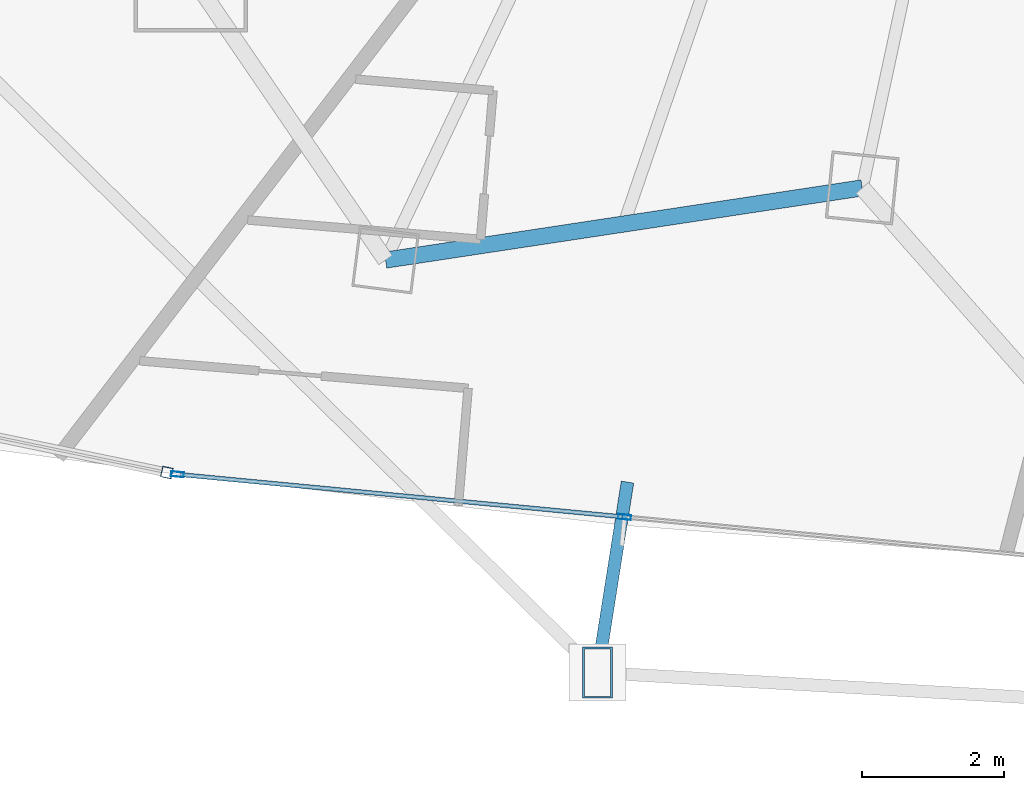
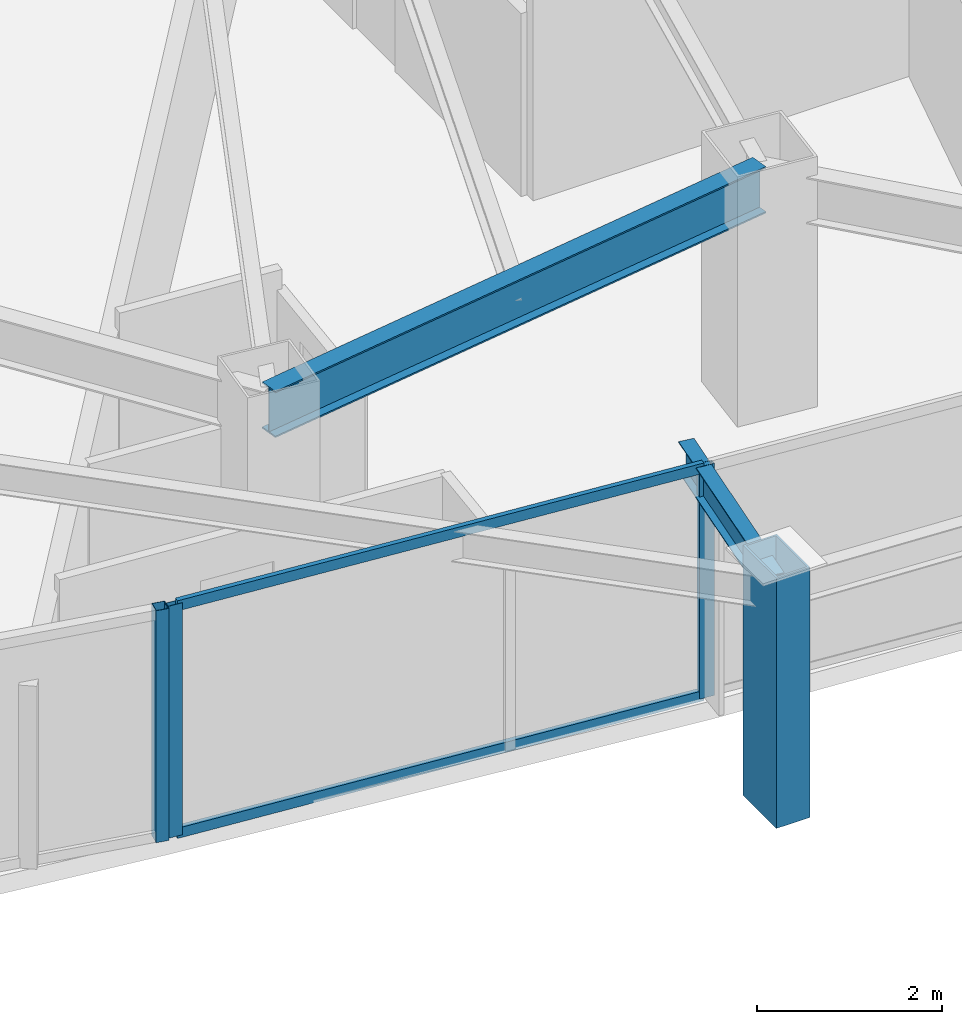
# One storey, part 4 of 34: 6 members, 2 beams, 2 elements without a shape of their own.
"""IFC4 building model written with IfcOpenShell, lengths in metres."""

from ifc_helpers import new_model, si_unit, direction, frame, origin, origin_2d, place, context, subcontext, project, spatial, hollow_rectangle, i_section, extrude, material, layer, layer_set, material_profile, profile_set, type_object, element, aggregate, save


model = new_model("IFC4")

# Units and contexts
model_context = context("Model", 3, precision=1e-05, world=origin(), true_north=direction((0.0, 1.0)))
body_context = subcontext(model_context, "Body", "Model", "MODEL_VIEW")
ifc_project = project(units=[si_unit("LENGTHUNIT", "METRE"), si_unit("AREAUNIT", "SQUARE_METRE"), si_unit("VOLUMEUNIT", "CUBIC_METRE"), si_unit("PLANEANGLEUNIT", "RADIAN"), si_unit("MASSUNIT", "GRAM", prefix="KILO")], contexts=[model_context])

# Site, building, storey
site_placement = place(None, origin())
site = spatial("IfcSite", under=ifc_project, at=site_placement, CompositionType="ELEMENT")
building_placement = place(site_placement, origin())
building = spatial("IfcBuilding", under=site, at=building_placement, Name="Orvanel Arch Residences", CompositionType="ELEMENT")
storey_placement = place(building_placement, frame((0.0, 0.0, 80.75)))
storey = spatial("IfcBuildingStorey", under=building, at=storey_placement, Name="L22", CompositionType="ELEMENT", Elevation=80.75)

# Member
ifc_material_1 = material(Name="Structural steel AS/NZS 3678 Grade 350", Category="steel")
ifc_material_profile_1 = material_profile(ifc_material_1, hollow_rectangle(XDim=0.419921875, YDim=0.719970703125, WallThickness=0.02490234375, at=origin_2d()), Name="RHS720x420x25")
ifc_profile_set_1 = profile_set([ifc_material_profile_1], Name="Structural steel AS/NZS 3678 Grade 350")
member_type_1 = type_object("IfcMemberType", Name="CH-720RHS-EXT", PredefinedType="CHORD", material=ifc_profile_set_1)
member_1_placement = place(storey_placement, frame((19.924072265625, 0.533935546875, 0.0), z_axis=(0.0, 0.0, 1.0), x_axis=(1.0, 0.0, 0.0)))
element("IfcMember", 1, at=member_1_placement, inside=storey, type_object=member_type_1, Name="L22 Outer Perimeter Frame Post 05", PredefinedType="CHORD", context=body_context, shape_type="SweptSolid", body=[
    extrude(hollow_rectangle(XDim=0.419921875, YDim=0.719970703125, WallThickness=0.02490234375, at=origin_2d()), origin(), (0.0, 0.0, 1.0), 3.300048828125),
])

# Curtain wall, member
ifc_material_2 = material(Name="Bronze-anodised aluminium AA6063-T6", Category="aluminium")
ifc_layer_1 = layer(ifc_material_2, 0.18994140625)
ifc_layer_set_1 = layer_set([ifc_layer_1], Name="Bronze-anodised aluminium AA6063-T6")
curtain_wall_type_1 = type_object("IfcCurtainWallType", Name="CW5-CRN-SYS", PredefinedType="NOTDEFINED", material=ifc_layer_set_1)
curtain_wall_1_placement = place(storey_placement, origin())
curtain_wall_1 = element("IfcCurtainWall", 2, at=curtain_wall_1_placement, inside=storey, type_object=curtain_wall_type_1, Name="L22 CW5-CRN-SYS Unitised Curtain Wall", PredefinedType="NOTDEFINED")
ifc_material_profile_2 = material_profile(ifc_material_2, hollow_rectangle(XDim=0.14990234375, YDim=0.14990234375, WallThickness=0.0048828125, at=origin_2d()), Name="ALU150x150x5")
ifc_profile_set_2 = profile_set([ifc_material_profile_2], Name="Bronze-anodised aluminium AA6063-T6")
member_type_2 = type_object("IfcMemberType", Name="MUL-150x150", PredefinedType="MULLION", material=ifc_profile_set_2)
member_2_placement = place(storey_placement, frame((13.863525390625, 3.349365234375, 0.0), z_axis=(0.0, 0.0, 1.0), x_axis=(0.203284384132, 0.97911973689, 0.0)))
member_2 = element("IfcMember", 3, at=member_2_placement, type_object=member_type_2, Name="CW-S5 mullion 3", PredefinedType="MULLION", context=body_context, shape_type="SweptSolid", body=[
    extrude(hollow_rectangle(XDim=0.14990234375, YDim=0.14990234375, WallThickness=0.0048828125, at=origin_2d()), origin(), (0.0, 0.0, 1.0), 3.06005859375),
])
aggregate(curtain_wall_1, [member_2])

# Curtain wall, members
ifc_layer_2 = layer(ifc_material_2, 0.179931640625)
ifc_layer_set_2 = layer_set([ifc_layer_2], Name="Bronze-anodised aluminium AA6063-T6")
curtain_wall_type_2 = type_object("IfcCurtainWallType", Name="CW2-LOW-SYS", PredefinedType="NOTDEFINED", material=ifc_layer_set_2)
curtain_wall_2_placement = place(storey_placement, origin())
curtain_wall_2 = element("IfcCurtainWall", 4, at=curtain_wall_2_placement, inside=storey, type_object=curtain_wall_type_2, Name="L22 CW2-LOW-SYS Unitised Curtain Wall", PredefinedType="NOTDEFINED")
ifc_material_profile_3 = material_profile(ifc_material_2, hollow_rectangle(XDim=0.070068359375, YDim=0.179931640625, WallThickness=0.00439453125, at=origin_2d()), Name="ALU180x70x4.5")
ifc_profile_set_3 = profile_set([ifc_material_profile_3], Name="Bronze-anodised aluminium AA6063-T6")
member_type_3 = type_object("IfcMemberType", Name="MUL-180x70", PredefinedType="MULLION", material=ifc_profile_set_3)
member_3_placement = place(storey_placement, frame((14.011962890625, 3.32470703125, 0.0), z_axis=(0.0, 0.0, 1.0), x_axis=(0.095024396079, 0.995474944009, 0.0)))
member_3 = element("IfcMember", 5, at=member_3_placement, type_object=member_type_3, Name="CW-S2 mullion 1", PredefinedType="MULLION", context=body_context, shape_type="SweptSolid", body=[
    extrude(hollow_rectangle(XDim=0.070068359375, YDim=0.179931640625, WallThickness=0.00439453125, at=origin_2d()), origin(), (0.0, 0.0, 1.0), 3.06005859375),
])
member_4_placement = place(storey_placement, frame((20.304443359375, 2.72412109375, 0.0), z_axis=(0.0, 0.0, 1.0), x_axis=(0.095024396079, 0.995474944009, 0.0)))
member_4 = element("IfcMember", 6, at=member_4_placement, type_object=member_type_3, Name="CW-S2 mullion 2", PredefinedType="MULLION", context=body_context, shape_type="SweptSolid", body=[
    extrude(hollow_rectangle(XDim=0.070068359375, YDim=0.179931640625, WallThickness=0.00439453125, at=origin_2d()), origin(), (0.0, 0.0, 1.0), 3.06005859375),
])

# Beams
ifc_material_3 = material(Name="Structural steel AS/NZS 3679.1 Grade 300 (300 MPa)", Category="steel")
ifc_material_profile_4 = material_profile(ifc_material_3, i_section(OverallWidth=0.177978515625, OverallDepth=0.406005859375, WebThickness=0.0078125, FlangeThickness=0.0126953125, at=origin_2d()), Name="410UB59.7")
ifc_profile_set_4 = profile_set([ifc_material_profile_4], Name="Structural steel AS/NZS 3679.1 Grade 300 (300 MPa)")
beam_type_1 = type_object("IfcBeamType", Name="OB-410UB-EXT", PredefinedType="SPANDREL", material=ifc_profile_set_4)
beam_1_placement = place(storey_placement, frame((20.345947265625, 3.215087890625, 2.85693359375), z_axis=(-0.155435971116, -0.987845969209, 0.0), x_axis=(0.987845969209, -0.155435971116, 0.0)))
element("IfcBeam", 7, at=beam_1_placement, inside=storey, type_object=beam_type_1, Name="L22 Outer Frame Radial Tie Beam 05", PredefinedType="SPANDREL", context=body_context, shape_type="SweptSolid", body=[
    extrude(i_section(OverallWidth=0.177978515625, OverallDepth=0.406005859375, WebThickness=0.0078125, FlangeThickness=0.0126953125, at=origin_2d()), origin(), (0.0, 0.0, 1.0), 2.714111328125),
])
ifc_material_profile_5 = material_profile(ifc_material_3, i_section(OverallWidth=0.22900390625, OverallDepth=0.612060546875, WebThickness=0.011962890625, FlangeThickness=0.01953125, at=origin_2d()), Name="610UB125")
ifc_profile_set_5 = profile_set([ifc_material_profile_5], Name="Structural steel AS/NZS 3679.1 Grade 300 (300 MPa)")
beam_type_2 = type_object("IfcBeamType", Name="SP-610UB", PredefinedType="SPANDREL", material=ifc_profile_set_5)
beam_2_placement = place(storey_placement, frame((16.94091796875, 6.339111328125, 2.75390625), z_axis=(0.988726323014, 0.149733958002, 0.0), x_axis=(-0.149733958002, 0.988726323014, 0.0)))
element("IfcBeam", 8, at=beam_2_placement, inside=storey, type_object=beam_type_2, Name="L22 Perimeter Spandrel Beam 04", PredefinedType="SPANDREL", context=body_context, shape_type="SweptSolid", body=[
    extrude(i_section(OverallWidth=0.22900390625, OverallDepth=0.612060546875, WebThickness=0.011962890625, FlangeThickness=0.01953125, at=origin_2d()), origin(), (0.0, 0.0, 1.0), 6.784423828125),
])

# Member
ifc_material_profile_6 = material_profile(ifc_material_2, hollow_rectangle(XDim=0.06005859375, YDim=0.135009765625, WallThickness=0.00390625, at=origin_2d()), Name="ALU135x60x4")
ifc_profile_set_6 = profile_set([ifc_material_profile_6], Name="Bronze-anodised aluminium AA6063-T6")
member_type_4 = type_object("IfcMemberType", Name="TRN-135x60", PredefinedType="USERDEFINED", material=ifc_profile_set_6)
member_5_placement = place(storey_placement, frame((14.046630859375, 3.3212890625, 0.030029296875), z_axis=(0.99547561686, -0.095017347031, 0.0), x_axis=(0.095017347031, 0.99547561686, 0.0)))
member_5 = element("IfcMember", 9, at=member_5_placement, type_object=member_type_4, Name="CW-S2 transom 1.1", ObjectType="TRANSOM", PredefinedType="USERDEFINED", context=body_context, shape_type="SweptSolid", body=[
    extrude(hollow_rectangle(XDim=0.06005859375, YDim=0.135009765625, WallThickness=0.00390625, at=origin_2d()), origin(), (0.0, 0.0, 1.0), 6.25146484375),
])

member_6_placement = place(storey_placement, frame((14.046630859375, 3.3212890625, 3.030029296875), z_axis=(0.99547561686, -0.095017347031, 0.0), x_axis=(0.095017347031, 0.99547561686, 0.0)))
member_6 = element("IfcMember", 10, at=member_6_placement, type_object=member_type_4, Name="CW-S2 transom 1.2", ObjectType="TRANSOM", PredefinedType="USERDEFINED", context=body_context, shape_type="SweptSolid", body=[
    extrude(hollow_rectangle(XDim=0.06005859375, YDim=0.135009765625, WallThickness=0.00390625, at=origin_2d()), origin(), (0.0, 0.0, 1.0), 6.25146484375),
])

aggregate(curtain_wall_2, [member_3, member_4, member_5, member_6])

save(model, "model.ifc")
